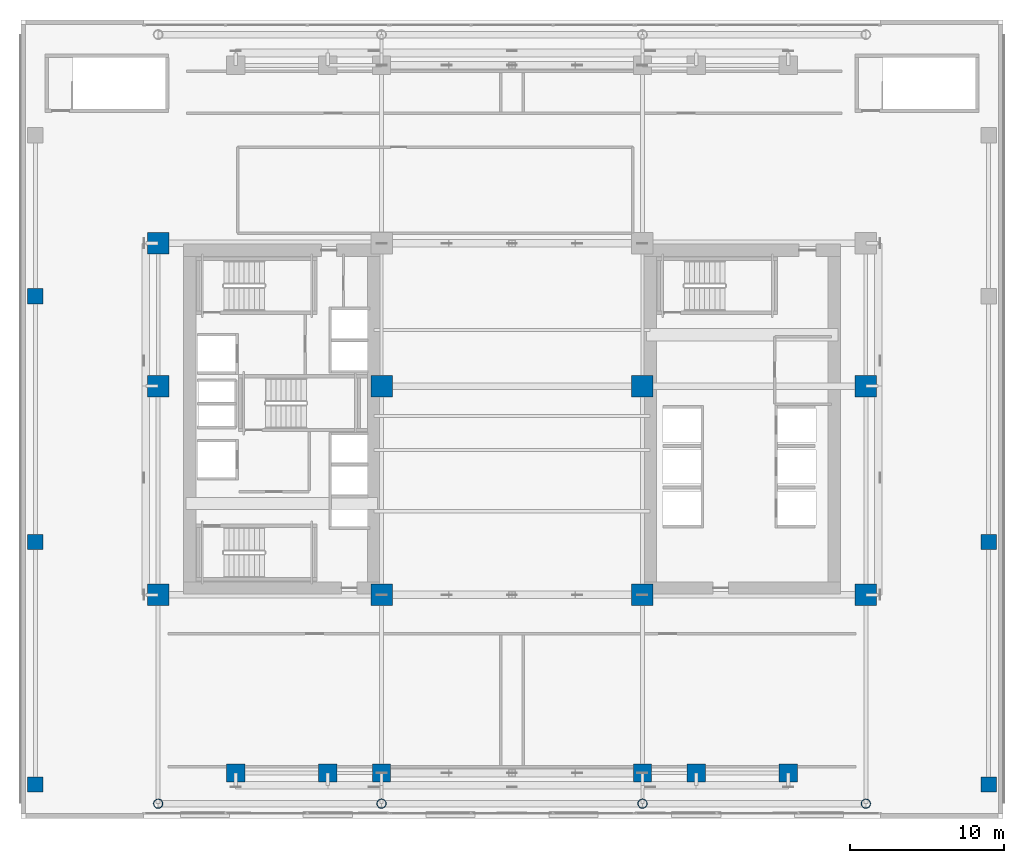
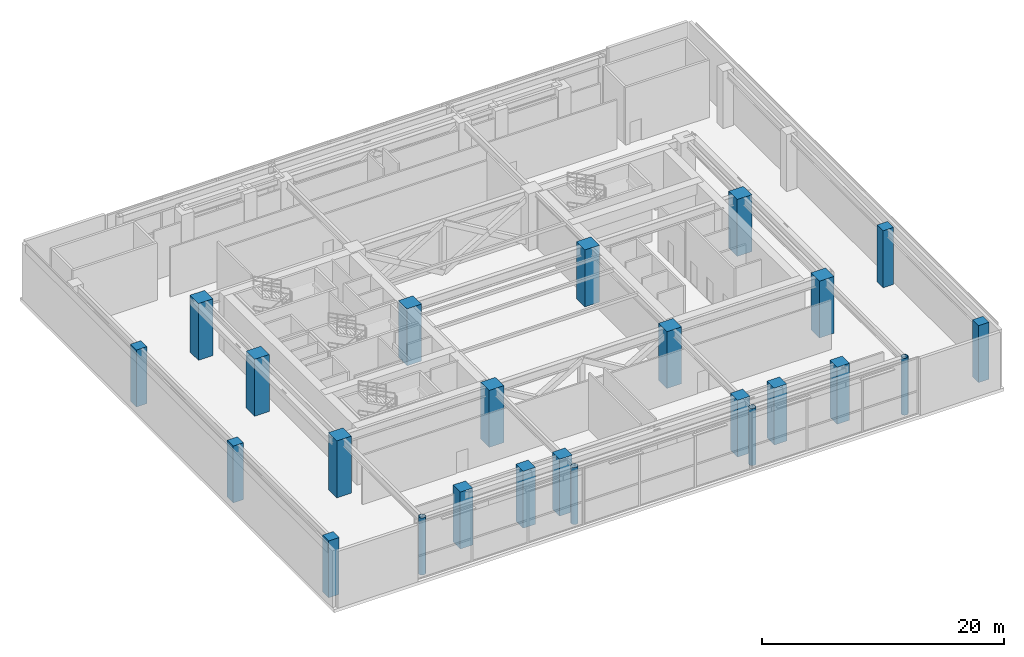
# One storey, part 1 of 29: 24 columns.
"""IFC4 building model written with IfcOpenShell, lengths in metres."""

from ifc_helpers import new_model, si_unit, direction, frame, origin, origin_2d, place, context, subcontext, project, spatial, rectangle, hollow_circle, extrude, source, transform, mapped, material, material_profile, profile_set, type_object, element, save


model = new_model("IFC4")

# Units and contexts
model_context = context("Model", 3, precision=1e-05, world=origin(), true_north=direction((0.0, 1.0)))
body_context = subcontext(model_context, "Body", "Model", "MODEL_VIEW")
ifc_project = project(units=[si_unit("LENGTHUNIT", "METRE"), si_unit("AREAUNIT", "SQUARE_METRE"), si_unit("VOLUMEUNIT", "CUBIC_METRE"), si_unit("PLANEANGLEUNIT", "RADIAN"), si_unit("MASSUNIT", "GRAM", prefix="KILO")], contexts=[model_context])

# Site, building, storey
site_placement = place(None, origin())
site = spatial("IfcSite", under=ifc_project, at=site_placement, CompositionType="ELEMENT")
building_placement = place(site_placement, origin())
building = spatial("IfcBuilding", under=site, at=building_placement, Name="Ocotamira Hotel", CompositionType="ELEMENT")
storey_placement = place(building_placement, frame((0.0, 0.0, 28.800048828125)))
storey = spatial("IfcBuildingStorey", under=building, at=storey_placement, Name="L06", CompositionType="ELEMENT", Elevation=28.800048828125)

# Columns
ifc_material_1 = material(Name="Concrete C50/60", Category="concrete")
ifc_material_profile_1 = material_profile(ifc_material_1, rectangle(XDim=1.0, YDim=1.0, at=origin_2d()), Name="RC1000X1000")
ifc_profile_set_1 = profile_set([ifc_material_profile_1], Name="Concrete C50/60")
column_type_1 = type_object("IfcColumnType", Name="COL-RC1000", PredefinedType="COLUMN", material=ifc_profile_set_1)
shared_shape_1 = source(origin(), body_context, "Body", "SweptSolid", [
    extrude(rectangle(XDim=1.0, YDim=1.0, at=origin_2d()), origin(), (0.0, 0.0, 1.0), 5.75),
])
for number, where, z_axis, x_axis, name in (
    (1, (0.949951171875, 2.199951171875, 0.0), (0.0, 0.0, 1.0), (1.0, 0.0, 0.0), "L06 Column PW1"),
    (2, (63.050048828125, 2.199951171875, 0.0), (0.0, 0.0, 1.0), (1.0, 0.0, 0.0), "L06 Column PE1"),
    (3, (0.949951171875, 18.0, 0.0), (0.0, 0.0, 1.0), (1.0, 0.0, 0.0), "L06 Column PW2"),
    (4, (63.050048828125, 18.0, 0.0), (0.0, 0.0, 1.0), (1.0, 0.0, 0.0), "L06 Column PE2"),
    (5, (0.949951171875, 34.0, 0.0), (0.0, 0.0, 1.0), (1.0, 0.0, 0.0), "L06 Column PW3"),
):
    element("IfcColumn", number, at=place(storey_placement, frame(where, z_axis=z_axis, x_axis=x_axis)), inside=storey, type_object=column_type_1, Name=name, PredefinedType="COLUMN", context=body_context, shape_type="MappedRepresentation", body=[
        mapped(shared_shape_1, transform((0.0, 0.0, 0.0), scale=1.0)),
    ])
ifc_material_2 = material(Name="Steel ASTM A501 Grade B", Category="steel")
ifc_material_profile_2 = material_profile(ifc_material_2, hollow_circle(Radius=0.304931640625, WallThickness=0.02490234375, at=origin_2d()), Name="CHS610X25")
ifc_profile_set_2 = profile_set([ifc_material_profile_2], Name="Steel ASTM A501 Grade B")
column_type_2 = type_object("IfcColumnType", Name="COL-CHS610", PredefinedType="COLUMN", material=ifc_profile_set_2)
shared_shape_2 = source(origin(), body_context, "Body", "SweptSolid", [
    extrude(hollow_circle(Radius=0.304931640625, WallThickness=0.02490234375, at=origin_2d()), origin(), (0.0, 0.0, 1.0), 5.75),
])
for number, where, z_axis, x_axis, name in (
    (6, (8.949951171875, 0.949951171875, 0.0), (0.0, 0.0, 1.0), (1.0, 0.0, 0.0), "L06 Column PS1_1"),
    (7, (23.5, 0.949951171875, 0.0), (0.0, 0.0, 1.0), (1.0, 0.0, 0.0), "L06 Column PS1_2"),
    (8, (40.5, 0.949951171875, 0.0), (0.0, 0.0, 1.0), (1.0, 0.0, 0.0), "L06 Column PS1_3"),
    (9, (55.050048828125, 0.949951171875, 0.0), (0.0, 0.0, 1.0), (1.0, 0.0, 0.0), "L06 Column PS1_4"),
):
    element("IfcColumn", number, at=place(storey_placement, frame(where, z_axis=z_axis, x_axis=x_axis)), inside=storey, type_object=column_type_2, Name=name, PredefinedType="COLUMN", context=body_context, shape_type="MappedRepresentation", body=[
        mapped(shared_shape_2, transform((0.0, 0.0, 0.0), scale=1.0)),
    ])
ifc_material_3 = material(Name="Concrete C60/75", Category="concrete")
ifc_material_profile_3 = material_profile(ifc_material_3, rectangle(XDim=1.39990234375, YDim=1.39990234375, at=origin_2d()), Name="RC1400X1400")
ifc_profile_set_3 = profile_set([ifc_material_profile_3], Name="Concrete C60/75")
column_type_3 = type_object("IfcColumnType", Name="COL-RC1400", PredefinedType="COLUMN", material=ifc_profile_set_3)
shared_shape_3 = source(origin(), body_context, "Body", "SweptSolid", [
    extrude(rectangle(XDim=1.39990234375, YDim=1.39990234375, at=origin_2d()), origin(), (0.0, 0.0, 1.0), 5.75),
])
for number, where, z_axis, x_axis, name in (
    (10, (8.949951171875, 14.550048828125, 0.0), (0.0, 0.0, 1.0), (1.0, 0.0, 0.0), "L06 Column TW8_14"),
    (11, (23.5, 14.550048828125, 0.0), (0.0, 0.0, 1.0), (1.0, 0.0, 0.0), "L06 Column TW23_14"),
    (12, (40.5, 14.550048828125, 0.0), (0.0, 0.0, 1.0), (1.0, 0.0, 0.0), "L06 Column TE40_14"),
    (13, (55.050048828125, 14.550048828125, 0.0), (0.0, 0.0, 1.0), (1.0, 0.0, 0.0), "L06 Column TE55_14"),
    (14, (8.949951171875, 28.14990234375, 0.0), (0.0, 0.0, 1.0), (1.0, 0.0, 0.0), "L06 Column TW8_28"),
    (15, (23.5, 28.14990234375, 0.0), (0.0, 0.0, 1.0), (1.0, 0.0, 0.0), "L06 Column TW23_28"),
    (16, (40.5, 28.14990234375, 0.0), (0.0, 0.0, 1.0), (1.0, 0.0, 0.0), "L06 Column TE40_28"),
    (17, (55.050048828125, 28.14990234375, 0.0), (0.0, 0.0, 1.0), (1.0, 0.0, 0.0), "L06 Column TE55_28"),
    (18, (8.949951171875, 37.449951171875, 0.0), (0.0, 0.0, 1.0), (1.0, 0.0, 0.0), "L06 Column TW8_37"),
):
    element("IfcColumn", number, at=place(storey_placement, frame(where, z_axis=z_axis, x_axis=x_axis)), inside=storey, type_object=column_type_3, Name=name, PredefinedType="COLUMN", context=body_context, shape_type="MappedRepresentation", body=[
        mapped(shared_shape_3, transform((0.0, 0.0, 0.0), scale=1.0)),
    ])
ifc_material_profile_4 = material_profile(ifc_material_3, rectangle(XDim=1.199951171875, YDim=1.199951171875, at=origin_2d()), Name="RC1200X1200")
ifc_profile_set_4 = profile_set([ifc_material_profile_4], Name="Concrete C60/75")
column_type_4 = type_object("IfcColumnType", Name="COL-RC1200", PredefinedType="COLUMN", material=ifc_profile_set_4)
shared_shape_4 = source(origin(), body_context, "Body", "SweptSolid", [
    extrude(rectangle(XDim=1.199951171875, YDim=1.199951171875, at=origin_2d()), origin(), (0.0, 0.0, 1.0), 5.75),
])
for number, where, z_axis, x_axis, name in (
    (19, (14.0, 2.949951171875, 0.0), (0.0, 0.0, 1.0), (1.0, 0.0, 0.0), "L06 Column NSP1_14"),
    (20, (20.0, 2.949951171875, 0.0), (0.0, 0.0, 1.0), (1.0, 0.0, 0.0), "L06 Column NSP1_20"),
    (21, (23.5, 2.949951171875, 0.0), (0.0, 0.0, 1.0), (1.0, 0.0, 0.0), "L06 Column NSP1_23"),
    (22, (40.5, 2.949951171875, 0.0), (0.0, 0.0, 1.0), (1.0, 0.0, 0.0), "L06 Column NSP1_40"),
    (23, (44.0, 2.949951171875, 0.0), (0.0, 0.0, 1.0), (1.0, 0.0, 0.0), "L06 Column NSP1_44"),
    (24, (50.0, 2.949951171875, 0.0), (0.0, 0.0, 1.0), (1.0, 0.0, 0.0), "L06 Column NSP1_50"),
):
    element("IfcColumn", number, at=place(storey_placement, frame(where, z_axis=z_axis, x_axis=x_axis)), inside=storey, type_object=column_type_4, Name=name, PredefinedType="COLUMN", context=body_context, shape_type="MappedRepresentation", body=[
        mapped(shared_shape_4, transform((0.0, 0.0, 0.0), scale=1.0)),
    ])

save(model, "model.ifc")
